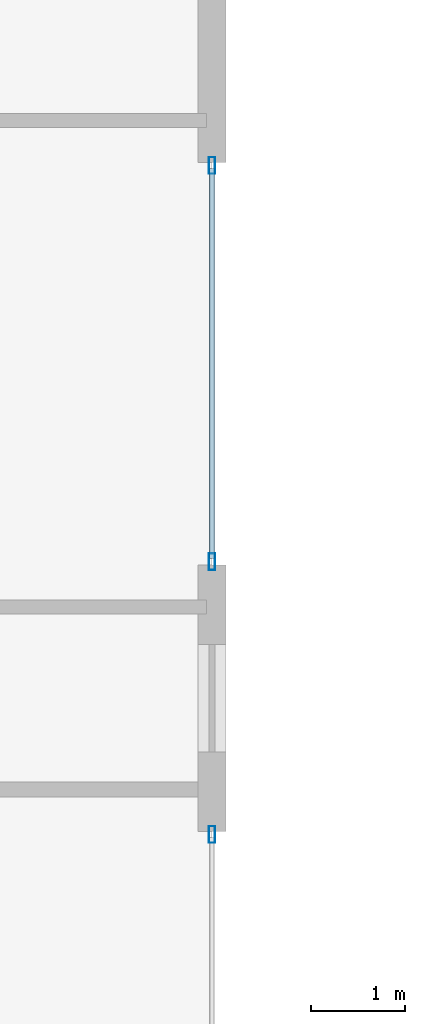
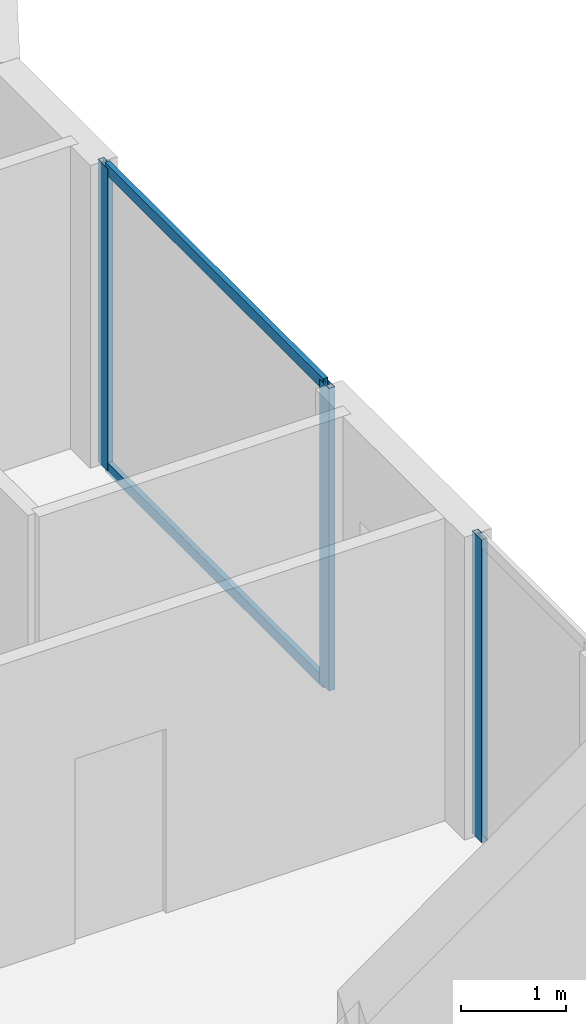
# One storey, part 12 of 32: 5 members, 2 elements without a shape of their own.
"""IFC4 building model written with IfcOpenShell, lengths in metres."""

from ifc_helpers import new_model, si_unit, direction, frame, origin, origin_2d, place, context, subcontext, project, spatial, hollow_rectangle, extrude, material, layer, layer_set, material_profile, profile_set, type_object, element, aggregate, save


model = new_model("IFC4")

# Units and contexts
model_context = context("Model", 3, precision=1e-05, world=origin(), true_north=direction((0.0, 1.0)))
body_context = subcontext(model_context, "Body", "Model", "MODEL_VIEW")
ifc_project = project(units=[si_unit("LENGTHUNIT", "METRE"), si_unit("AREAUNIT", "SQUARE_METRE"), si_unit("VOLUMEUNIT", "CUBIC_METRE"), si_unit("PLANEANGLEUNIT", "RADIAN"), si_unit("MASSUNIT", "GRAM", prefix="KILO")], contexts=[model_context])

# Site, building, storey
site_placement = place(None, origin())
site = spatial("IfcSite", under=ifc_project, at=site_placement, CompositionType="ELEMENT")
building_placement = place(site_placement, origin())
building = spatial("IfcBuilding", under=site, at=building_placement, Name="Zuhayl Quay Hotel", CompositionType="ELEMENT")
storey_placement = place(building_placement, frame((0.0, 0.0, 188.64990234375)))
storey = spatial("IfcBuildingStorey", under=building, at=storey_placement, Name="L47", CompositionType="ELEMENT", Elevation=188.64990234375)

# Curtain wall, members
ifc_material_1 = material(Name="Anodised Aluminium 6063-T6", Category="aluminium")
ifc_layer = layer(ifc_material_1, 0.175048828125, Name="Anodised Aluminium 6063-T6", Category="aluminium")
ifc_layer_set = layer_set([ifc_layer], Name="Anodised Aluminium 6063-T6")
curtain_wall_type = type_object("IfcCurtainWallType", Name="CW_SYS_Z3", PredefinedType="USERDEFINED", material=ifc_layer_set)
curtain_wall_1_placement = place(storey_placement, origin())
curtain_wall_1 = element("IfcCurtainWall", 1, at=curtain_wall_1_placement, inside=storey, type_object=curtain_wall_type, Name="L47 Curtain Wall ENV_L47_E14_CW1", ObjectType="UNITISED CURTAIN WALL", PredefinedType="USERDEFINED")
ifc_material_2 = material(Name="Black-anodised aluminium 6063-T6", Category="aluminium")
ifc_material_profile_1 = material_profile(ifc_material_2, hollow_rectangle(XDim=0.06494140625, YDim=0.179931640625, WallThickness=0.00341796875, at=origin_2d()), Name="ALU180X65")
ifc_profile_set_1 = profile_set([ifc_material_profile_1], Name="Black-anodised aluminium 6063-T6")
member_type_1 = type_object("IfcMemberType", Name="MB_CW_MUL_180", PredefinedType="MULLION", material=ifc_profile_set_1)
member_1_placement = place(storey_placement, frame((22.10009765625, 6.267578125, 0.0), z_axis=(0.0, 0.0, 1.0), x_axis=(1.0, 0.0, 0.0)))
member_1 = element("IfcMember", 2, at=member_1_placement, type_object=member_type_1, Name="CW-Z3 mullion 1", PredefinedType="MULLION", context=body_context, shape_type="SweptSolid", body=[
    extrude(hollow_rectangle(XDim=0.06494140625, YDim=0.179931640625, WallThickness=0.00341796875, at=origin_2d()), origin(), (0.0, 0.0, 1.0), 3.530029296875),
])
member_2_placement = place(storey_placement, frame((22.10009765625, 2.032470703125, 0.0), z_axis=(0.0, 0.0, 1.0), x_axis=(1.0, 0.0, 0.0)))
member_2 = element("IfcMember", 3, at=member_2_placement, type_object=member_type_1, Name="CW-Z3 mullion 2", PredefinedType="MULLION", context=body_context, shape_type="SweptSolid", body=[
    extrude(hollow_rectangle(XDim=0.06494140625, YDim=0.179931640625, WallThickness=0.00341796875, at=origin_2d()), origin(), (0.0, 0.0, 1.0), 3.530029296875),
])

# Curtain wall, member
curtain_wall_2_placement = place(storey_placement, origin())
curtain_wall_2 = element("IfcCurtainWall", 4, at=curtain_wall_2_placement, inside=storey, type_object=curtain_wall_type, Name="L47 Curtain Wall ENV_L47_E14_CW2", ObjectType="UNITISED CURTAIN WALL", PredefinedType="USERDEFINED")
member_3_placement = place(storey_placement, frame((22.10009765625, -0.882568359375, 0.0), z_axis=(0.0, 0.0, 1.0), x_axis=(1.0, 0.0, 0.0)))
member_3 = element("IfcMember", 5, at=member_3_placement, type_object=member_type_1, Name="CW-Z3 mullion 1", PredefinedType="MULLION", context=body_context, shape_type="SweptSolid", body=[
    extrude(hollow_rectangle(XDim=0.06494140625, YDim=0.179931640625, WallThickness=0.00341796875, at=origin_2d()), origin(), (0.0, 0.0, 1.0), 3.530029296875),
])
aggregate(curtain_wall_2, [member_3])

# Member
ifc_material_profile_2 = material_profile(ifc_material_2, hollow_rectangle(XDim=0.054931640625, YDim=0.1298828125, WallThickness=0.0029296875, at=origin_2d()), Name="ALU130X55")
ifc_profile_set_2 = profile_set([ifc_material_profile_2], Name="Black-anodised aluminium 6063-T6")
member_type_2 = type_object("IfcMemberType", Name="MB_CW_TRN_130", PredefinedType="USERDEFINED", material=ifc_profile_set_2)
member_4_placement = place(storey_placement, frame((22.10009765625, 6.235107421875, 0.027587890625), z_axis=(0.0, -1.0, 0.0), x_axis=(1.0, 0.0, 0.0)))
member_4 = element("IfcMember", 6, at=member_4_placement, type_object=member_type_2, Name="CW-Z3 transom 1.1", ObjectType="TRANSOM", PredefinedType="USERDEFINED", context=body_context, shape_type="SweptSolid", body=[
    extrude(hollow_rectangle(XDim=0.054931640625, YDim=0.1298828125, WallThickness=0.0029296875, at=origin_2d()), origin(), (0.0, 0.0, 1.0), 4.170166015625),
])

member_5_placement = place(storey_placement, frame((22.10009765625, 6.235107421875, 3.502685546875), z_axis=(0.0, -1.0, 0.0), x_axis=(1.0, 0.0, 0.0)))
member_5 = element("IfcMember", 7, at=member_5_placement, type_object=member_type_2, Name="CW-Z3 transom 1.2", ObjectType="TRANSOM", PredefinedType="USERDEFINED", context=body_context, shape_type="SweptSolid", body=[
    extrude(hollow_rectangle(XDim=0.054931640625, YDim=0.1298828125, WallThickness=0.0029296875, at=origin_2d()), origin(), (0.0, 0.0, 1.0), 4.170166015625),
])

aggregate(curtain_wall_1, [member_1, member_2, member_4, member_5])

save(model, "model.ifc")
